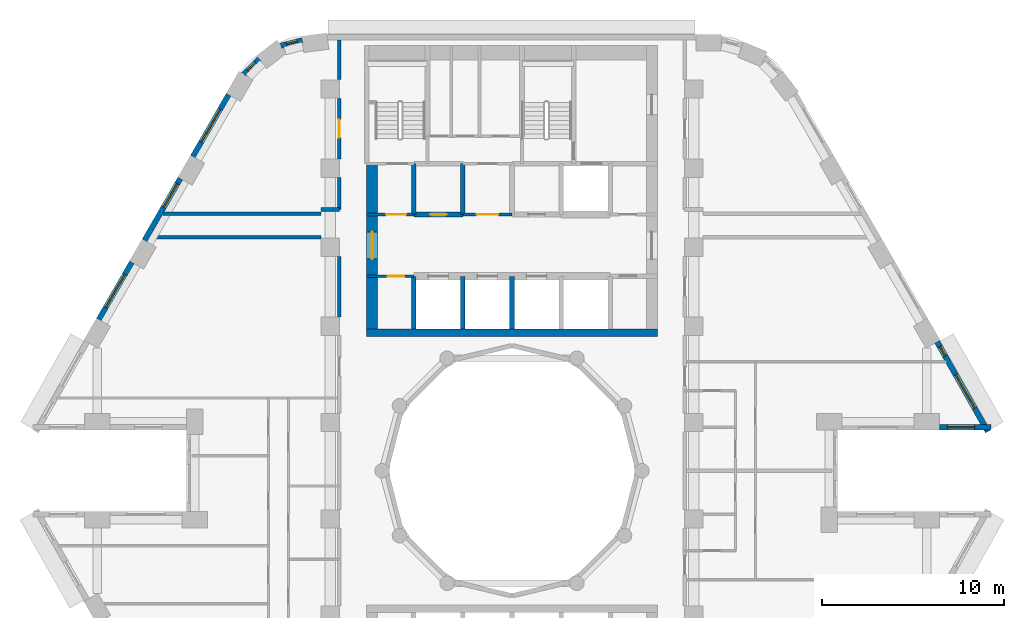
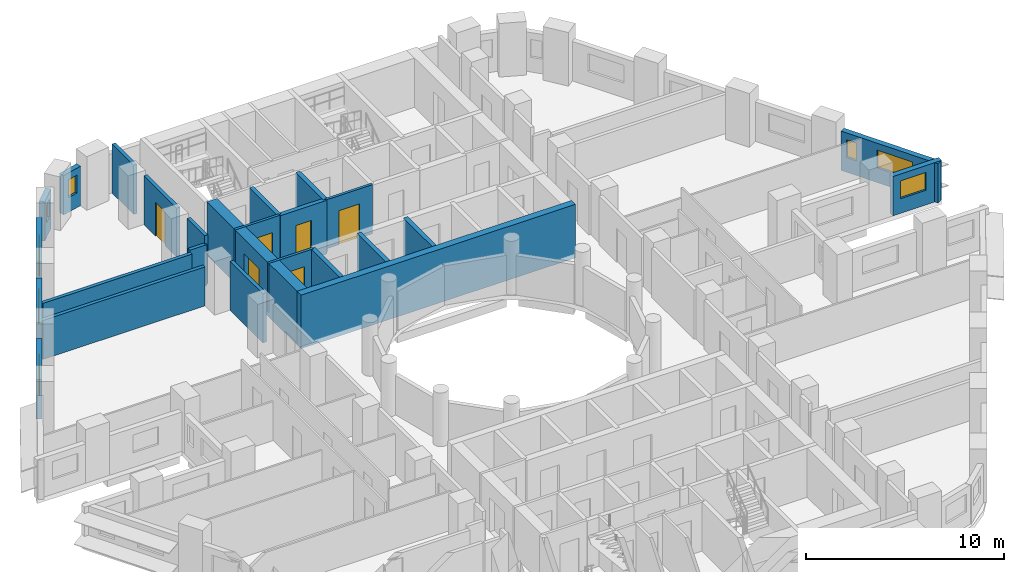
# One storey, part 7 of 12: 25 walls, 8 windows, 6 doors, 14 openings.
"""IFC4 building model written with IfcOpenShell, lengths in metres."""

from ifc_helpers import new_model, si_unit, direction, frame, frame_2d, origin, place, context, subcontext, project, spatial, rectangle, extrude, material, layer, layer_set, type_object, element, fill, save


model = new_model("IFC4")

# Units and contexts
model_context = context("Model", 3, precision=1e-05, world=origin(), true_north=direction((0.0, 1.0)))
body_context = subcontext(model_context, "Body", "Model", "MODEL_VIEW")
ifc_project = project(units=[si_unit("LENGTHUNIT", "METRE"), si_unit("AREAUNIT", "SQUARE_METRE"), si_unit("VOLUMEUNIT", "CUBIC_METRE"), si_unit("PLANEANGLEUNIT", "RADIAN"), si_unit("MASSUNIT", "GRAM", prefix="KILO")], contexts=[model_context])

# Site, building, storey
site_placement = place(None, origin())
site = spatial("IfcSite", under=ifc_project, at=site_placement, CompositionType="ELEMENT")
building_placement = place(site_placement, origin())
building = spatial("IfcBuilding", under=site, at=building_placement, Name="Nakaniwa Court", CompositionType="ELEMENT")
storey_placement = place(building_placement, frame((0.0, 0.0, 87.60009765625)))
storey = spatial("IfcBuildingStorey", under=building, at=storey_placement, Name="L22", CompositionType="ELEMENT", Elevation=87.60009765625)

# Walls
ifc_material_1 = material(Name="Acoustic double stud partition")
ifc_layer_1 = layer(ifc_material_1, 0.199951171875)
ifc_layer_set_1 = layer_set([ifc_layer_1], Name="Acoustic double stud partition")
wall_type_1 = type_object("IfcWallType", Name="Acoustic double stud partition 200", PredefinedType="PARTITIONING", material=ifc_layer_set_1)
wall_1_placement = place(storey_placement, frame((60.052490234375, 92.85009765625, 0.0), z_axis=(0.0, 0.0, 1.0), x_axis=(1.0, 0.0, 0.0)))
element("IfcWall", 1, at=wall_1_placement, inside=storey, type_object=wall_type_1, Name="Partition PW-081", PredefinedType="PARTITIONING", context=body_context, shape_type="SweptSolid", body=[
    extrude(rectangle(XDim=9.447509765625, YDim=0.199951171875, at=frame_2d((4.7236328125, 0.0))), origin(), (0.0, 0.0, 1.0), 2.40478515625),
])
wall_2_placement = place(storey_placement, frame((69.5, 94.375, 0.0), z_axis=(0.0, 0.0, 1.0), x_axis=(1.0, 0.0, 0.0)))
element("IfcWall", 2, at=wall_2_placement, inside=storey, type_object=wall_type_1, Name="Partition PW-083", PredefinedType="PARTITIONING", context=body_context, shape_type="SweptSolid", body=[
    extrude(rectangle(XDim=1.0, YDim=0.199951171875, at=frame_2d((0.5, 0.0))), origin(), (0.0, 0.0, 1.0), 2.5048828125),
])
wall_3_placement = place(storey_placement, frame((60.802978515625, 94.14990234375, 0.0), z_axis=(0.0, 0.0, 1.0), x_axis=(1.0, 0.0, 0.0)))
element("IfcWall", 3, at=wall_3_placement, inside=storey, type_object=wall_type_1, Name="Partition PW-085", PredefinedType="PARTITIONING", context=body_context, shape_type="SweptSolid", body=[
    extrude(rectangle(XDim=8.697021484375, YDim=0.199951171875, at=frame_2d((4.3486328125, 0.0))), origin(), (0.0, 0.0, 1.0), 2.40478515625),
])
wall_4_placement = place(storey_placement, frame((70.5, 88.467041015625, 0.0), z_axis=(0.0, 0.0, 1.0), x_axis=(0.0, 1.0, 0.0)))
element("IfcWall", 4, at=wall_4_placement, inside=storey, type_object=wall_type_1, Name="Partition PW-103", PredefinedType="PARTITIONING", context=body_context, shape_type="SweptSolid", body=[
    extrude(rectangle(XDim=3.31591796875, YDim=0.199951171875, at=frame_2d((1.657958984375, 0.0))), origin(), (0.0, 0.0, 1.0), 3.02490234375),
])
wall_5_placement = place(storey_placement, frame((70.5, 94.3720703125, 0.0), z_axis=(0.0, 0.0, 1.0), x_axis=(0.0, 1.0, 0.0)))
element("IfcWall", 5, at=wall_5_placement, inside=storey, type_object=wall_type_1, Name="Partition PW-104", PredefinedType="PARTITIONING", context=body_context, shape_type="SweptSolid", body=[
    extrude(rectangle(XDim=1.760986328125, YDim=0.199951171875, at=frame_2d((0.88037109375, 0.0))), origin(), (0.0, 0.0, 1.0), 3.02490234375),
])

# Wall, opening, door
wall_6_placement = place(storey_placement, frame((70.5, 97.1669921875, 0.0), z_axis=(0.0, 0.0, 1.0), x_axis=(0.0, 1.0, 0.0)))
wall_6 = element("IfcWall", 6, at=wall_6_placement, inside=storey, type_object=wall_type_1, Name="Partition PW-105", PredefinedType="PARTITIONING", context=body_context, shape_type="SweptSolid", body=[
    extrude(rectangle(XDim=3.31591796875, YDim=0.199951171875, at=frame_2d((1.657958984375, 0.0))), origin(), (0.0, 0.0, 1.0), 3.02490234375),
])
opening_1_placement = place(wall_6_placement, frame((1.157958984375, 0.0, 0.0)))
opening_1 = element("IfcOpeningElement", 7, at=opening_1_placement, cuts=wall_6, Name="Opening D-02-06", PredefinedType="OPENING", context=body_context, shape_type="SweptSolid", body=[
    extrude(rectangle(XDim=1.0, YDim=2.10009765625, at=frame_2d((0.5, 1.050048828125))), frame((0.0, 0.10986328125, 0.0), z_axis=(0.0, -1.0, 0.0), x_axis=(1.0, 0.0, 0.0)), (0.0, 0.0, 1.0), 0.219970703125),
])
ifc_material_2 = material(Name="Solid core timber door set, black veneer", Category="wood")
door_type_1 = type_object("IfcDoorType", Name="Internal door 1000", OperationType="NOTDEFINED", PredefinedType="DOOR", material=ifc_material_2)
door_1_placement = place(opening_1_placement, origin())
door_1 = element("IfcDoor", 8, at=door_1_placement, inside=storey, type_object=door_type_1, Name="Door D-02-06 L22-048", OperationType="SINGLE_SWING_LEFT", OverallHeight=2.10009765625, OverallWidth=1.0, PredefinedType="DOOR", context=body_context, shape_type="SweptSolid", body=[
    extrude(rectangle(XDim=1.0, YDim=2.10009765625, at=frame_2d((0.5, 1.050048828125))), frame((0.0, 0.02490234375, 0.0), z_axis=(0.0, -1.0, 0.0), x_axis=(1.0, 0.0, 0.0)), (0.0, 0.0, 1.0), 0.050048828125),
])
fill(opening_1, door_1)

# Wall
wall_7_placement = place(storey_placement, frame((70.5, 101.51708984375, 0.0), z_axis=(0.0, 0.0, 1.0), x_axis=(0.0, 1.0, 0.0)))
element("IfcWall", 9, at=wall_7_placement, inside=storey, type_object=wall_type_1, Name="Partition PW-106", PredefinedType="PARTITIONING", context=body_context, shape_type="SweptSolid", body=[
    extrude(rectangle(XDim=2.182861328125, YDim=0.199951171875, at=frame_2d((1.09130859375, 0.0))), origin(), (0.0, 0.0, 1.0), 3.02490234375),
])

# Wall, opening, window
ifc_material_3 = material(Name="Charcoal ceramic cladding")
ifc_layer_2 = layer(ifc_material_3, 0.02, Name="Ceramic cladding")
ifc_material_4 = material(Name="Ventilated air cavity")
ifc_layer_3 = layer(ifc_material_4, 0.04, ventilated=True, Name="Ventilated cavity")
ifc_material_5 = material(Name="Mineral wool insulation")
ifc_layer_4 = layer(ifc_material_5, 0.1, Name="Insulation")
ifc_material_6 = material(Name="Cement bonded sheathing board")
ifc_layer_5 = layer(ifc_material_6, 0.012, Name="Sheathing")
ifc_material_7 = material(Name="Cold-formed galvanised stud frame with mineral wool infill")
ifc_layer_6 = layer(ifc_material_7, 0.1, Name="Stud frame")
ifc_material_8 = material(Name="Fire-rated gypsum plasterboard lining")
ifc_layer_7 = layer(ifc_material_8, 0.028, Name="Lining")
ifc_layer_set_2 = layer_set([ifc_layer_2, ifc_layer_3, ifc_layer_4, ifc_layer_5, ifc_layer_6, ifc_layer_7], Name="Charcoal ceramic faced external wall system")
wall_type_2 = type_object("IfcWallType", Name="Black ceramic faced external wall 300", PredefinedType="SOLIDWALL", material=ifc_layer_set_2)
wall_8_placement = place(storey_placement, frame((103.518798828125, 82.39990234375, 0.0), z_axis=(0.0, 0.0, 1.0), x_axis=(1.0, 0.0, 0.0)))
wall_8 = element("IfcWall", 10, at=wall_8_placement, inside=storey, type_object=wall_type_2, Name="L22 external wall 01", PredefinedType="SOLIDWALL", context=body_context, shape_type="SweptSolid", body=[
    extrude(rectangle(XDim=2.837890625, YDim=0.300048828125, at=frame_2d((1.4189453125, 0.0))), origin(), (0.0, 0.0, 1.0), 2.4248046875),
])
opening_2_placement = place(wall_8_placement, frame((0.44384765625, 0.0, 0.89990234375)))
opening_2 = element("IfcOpeningElement", 11, at=opening_2_placement, cuts=wall_8, Name="Opening W5.02", PredefinedType="OPENING", context=body_context, shape_type="SweptSolid", body=[
    extrude(rectangle(XDim=1.5, YDim=1.10009765625, at=frame_2d((0.75, 0.550048828125))), frame((0.0, 0.159912109375, 0.0), z_axis=(0.0, -1.0, 0.0), x_axis=(1.0, 0.0, 0.0)), (0.0, 0.0, 1.0), 0.320068359375),
])
ifc_material_9 = material(Name="Black anodised aluminium frame with dark low-E laminated double glazing", Category="aluminium")
window_type_1 = type_object("IfcWindowType", Name="Dark glass window 1500x1100 sill 900", PartitioningType="SINGLE_PANEL", PredefinedType="WINDOW", material=ifc_material_9)
window_1_placement = place(opening_2_placement, origin())
window_1 = element("IfcWindow", 12, at=window_1_placement, inside=storey, type_object=window_type_1, Name="L22 living window 01-0", OverallHeight=1.10009765625, OverallWidth=1.5, PartitioningType="SINGLE_PANEL", PredefinedType="WINDOW", context=body_context, shape_type="SweptSolid", body=[
    extrude(rectangle(XDim=1.5, YDim=1.10009765625, at=frame_2d((0.75, 0.550048828125))), frame((0.0, 0.030029296875, 0.0), z_axis=(0.0, -1.0, 0.0), x_axis=(1.0, 0.0, 0.0)), (0.0, 0.0, 1.0), 0.06005859375),
])
fill(opening_2, window_1)

# Wall, openings, windows
wall_9_placement = place(storey_placement, frame((106.18603515625, 82.1533203125, 0.0), z_axis=(0.0, 0.0, 1.0), x_axis=(-0.492456858874, 0.870336855561, 0.0)))
wall_9 = element("IfcWall", 13, at=wall_9_placement, inside=storey, type_object=wall_type_2, Name="L22 external wall 02", PredefinedType="SOLIDWALL", context=body_context, shape_type="SweptSolid", body=[
    extrude(rectangle(XDim=5.676513671875, YDim=0.300048828125, at=frame_2d((2.83837890625, 0.0))), origin(), (0.0, 0.0, 1.0), 2.4248046875),
])
opening_3_placement = place(wall_9_placement, frame((1.48388671875, 0.0, 0.89990234375)))
opening_3 = element("IfcOpeningElement", 14, at=opening_3_placement, cuts=wall_9, Name="Opening W7.03", PredefinedType="OPENING", context=body_context, shape_type="SweptSolid", body=[
    extrude(rectangle(XDim=2.10009765625, YDim=1.10009765625, at=frame_2d((1.050048828125, 0.550048828125))), frame((0.0, 0.159912109375, 0.0), z_axis=(0.0, -1.0, 0.0), x_axis=(1.0, 0.0, 0.0)), (0.0, 0.0, 1.0), 0.320068359375),
])
opening_4_placement = place(wall_9_placement, frame((4.77099609375, 0.0, 0.89990234375)))
opening_4 = element("IfcOpeningElement", 15, at=opening_4_placement, cuts=wall_9, Name="Opening W8.04", PredefinedType="OPENING", context=body_context, shape_type="SweptSolid", body=[
    extrude(rectangle(XDim=0.60009765625, YDim=1.10009765625, at=frame_2d((0.300048828125, 0.550048828125))), frame((0.0, 0.159912109375, 0.0), z_axis=(0.0, -1.0, 0.0), x_axis=(1.0, 0.0, 0.0)), (0.0, 0.0, 1.0), 0.320068359375),
])
window_type_2 = type_object("IfcWindowType", Name="Dark glass window 2100x1100 sill 900", PartitioningType="SINGLE_PANEL", PredefinedType="WINDOW", material=ifc_material_9)
window_2_placement = place(opening_3_placement, origin())
window_2 = element("IfcWindow", 16, at=window_2_placement, inside=storey, type_object=window_type_2, Name="L22 living window 02-0", OverallHeight=1.10009765625, OverallWidth=2.10009765625, PartitioningType="SINGLE_PANEL", PredefinedType="WINDOW", context=body_context, shape_type="SweptSolid", body=[
    extrude(rectangle(XDim=2.10009765625, YDim=1.10009765625, at=frame_2d((1.050048828125, 0.550048828125))), frame((0.0, 0.030029296875, 0.0), z_axis=(0.0, -1.0, 0.0), x_axis=(1.0, 0.0, 0.0)), (0.0, 0.0, 1.0), 0.06005859375),
])
fill(opening_3, window_2)
window_type_3 = type_object("IfcWindowType", Name="Dark glass window 600x1100 sill 900", PartitioningType="SINGLE_PANEL", PredefinedType="WINDOW", material=ifc_material_9)
window_3_placement = place(opening_4_placement, origin())
window_3 = element("IfcWindow", 17, at=window_3_placement, inside=storey, type_object=window_type_3, Name="L22 habitable room window 02-1", OverallHeight=1.10009765625, OverallWidth=0.60009765625, PartitioningType="SINGLE_PANEL", PredefinedType="WINDOW", context=body_context, shape_type="SweptSolid", body=[
    extrude(rectangle(XDim=0.60009765625, YDim=1.10009765625, at=frame_2d((0.300048828125, 0.550048828125))), frame((0.0, 0.030029296875, 0.0), z_axis=(0.0, -1.0, 0.0), x_axis=(1.0, 0.0, 0.0)), (0.0, 0.0, 1.0), 0.06005859375),
])
fill(opening_4, window_3)

# Wall, opening, window
wall_10_placement = place(storey_placement, frame((68.455810546875, 103.68310546875, 0.0), z_axis=(0.0, 0.0, 1.0), x_axis=(-0.969485113966, -0.245150186208, 0.0)))
wall_10 = element("IfcWall", 18, at=wall_10_placement, inside=storey, type_object=wall_type_2, Name="L22 external wall 09", PredefinedType="SOLIDWALL", context=body_context, shape_type="SweptSolid", body=[
    extrude(rectangle(XDim=1.2080078125, YDim=0.300048828125, at=frame_2d((0.60400390625, 0.0))), origin(), (0.0, 0.0, 1.0), 2.4248046875),
])
opening_5_placement = place(wall_10_placement, frame((0.279541015625, 0.0, 0.89990234375)))
opening_5 = element("IfcOpeningElement", 19, at=opening_5_placement, cuts=wall_10, Name="Opening W8.10", PredefinedType="OPENING", context=body_context, shape_type="SweptSolid", body=[
    extrude(rectangle(XDim=0.60009765625, YDim=1.10009765625, at=frame_2d((0.300048828125, 0.550048828125))), frame((0.0, 0.159912109375, 0.0), z_axis=(0.0, -1.0, 0.0), x_axis=(1.0, 0.0, 0.0)), (0.0, 0.0, 1.0), 0.320068359375),
])
window_4_placement = place(opening_5_placement, origin())
window_4 = element("IfcWindow", 20, at=window_4_placement, inside=storey, type_object=window_type_3, Name="L22 habitable room window 09-0", OverallHeight=1.10009765625, OverallWidth=0.60009765625, PartitioningType="SINGLE_PANEL", PredefinedType="WINDOW", context=body_context, shape_type="SweptSolid", body=[
    extrude(rectangle(XDim=0.60009765625, YDim=1.10009765625, at=frame_2d((0.300048828125, 0.550048828125))), frame((0.0, 0.030029296875, 0.0), z_axis=(0.0, -1.0, 0.0), x_axis=(1.0, 0.0, 0.0)), (0.0, 0.0, 1.0), 0.06005859375),
])
fill(opening_5, window_4)

wall_11_placement = place(storey_placement, frame((66.085205078125, 102.66259765625, 0.0), z_axis=(0.0, 0.0, 1.0), x_axis=(-0.708951665509, -0.705257070842, 0.0)))
wall_11 = element("IfcWall", 21, at=wall_11_placement, inside=storey, type_object=wall_type_2, Name="L22 external wall 10", PredefinedType="SOLIDWALL", context=body_context, shape_type="SweptSolid", body=[
    extrude(rectangle(XDim=1.189453125, YDim=0.300048828125, at=frame_2d((0.5947265625, 0.0))), origin(), (0.0, 0.0, 1.0), 2.4248046875),
])
opening_6_placement = place(wall_11_placement, frame((0.284423828125, 0.0, 0.89990234375)))
opening_6 = element("IfcOpeningElement", 22, at=opening_6_placement, cuts=wall_11, Name="Opening W8.11", PredefinedType="OPENING", context=body_context, shape_type="SweptSolid", body=[
    extrude(rectangle(XDim=0.60009765625, YDim=1.10009765625, at=frame_2d((0.300048828125, 0.550048828125))), frame((0.0, 0.159912109375, 0.0), z_axis=(0.0, -1.0, 0.0), x_axis=(1.0, 0.0, 0.0)), (0.0, 0.0, 1.0), 0.320068359375),
])
window_5_placement = place(opening_6_placement, origin())
window_5 = element("IfcWindow", 23, at=window_5_placement, inside=storey, type_object=window_type_3, Name="L22 habitable room window 10-0", OverallHeight=1.10009765625, OverallWidth=0.60009765625, PartitioningType="SINGLE_PANEL", PredefinedType="WINDOW", context=body_context, shape_type="SweptSolid", body=[
    extrude(rectangle(XDim=0.60009765625, YDim=1.10009765625, at=frame_2d((0.300048828125, 0.550048828125))), frame((0.0, 0.030029296875, 0.0), z_axis=(0.0, -1.0, 0.0), x_axis=(1.0, 0.0, 0.0)), (0.0, 0.0, 1.0), 0.06005859375),
])
fill(opening_6, window_5)

wall_12_placement = place(storey_placement, frame((64.40966796875, 100.69677734375, 0.0), z_axis=(0.0, 0.0, 1.0), x_axis=(-0.500003583557, -0.866023334807, 0.0)))
wall_12 = element("IfcWall", 24, at=wall_12_placement, inside=storey, type_object=wall_type_2, Name="L22 external wall 11", PredefinedType="SOLIDWALL", context=body_context, shape_type="SweptSolid", body=[
    extrude(rectangle(XDim=3.93408203125, YDim=0.300048828125, at=frame_2d((1.967041015625, 0.0))), origin(), (0.0, 0.0, 1.0), 2.4248046875),
])
opening_7_placement = place(wall_12_placement, frame((0.9169921875, 0.0, 0.89990234375)))
opening_7 = element("IfcOpeningElement", 25, at=opening_7_placement, cuts=wall_12, Name="Opening W7.12", PredefinedType="OPENING", context=body_context, shape_type="SweptSolid", body=[
    extrude(rectangle(XDim=2.10009765625, YDim=1.10009765625, at=frame_2d((1.050048828125, 0.550048828125))), frame((0.0, 0.159912109375, 0.0), z_axis=(0.0, -1.0, 0.0), x_axis=(1.0, 0.0, 0.0)), (0.0, 0.0, 1.0), 0.320068359375),
])
window_6_placement = place(opening_7_placement, origin())
window_6 = element("IfcWindow", 26, at=window_6_placement, inside=storey, type_object=window_type_2, Name="L22 habitable room window 11-0", OverallHeight=1.10009765625, OverallWidth=2.10009765625, PartitioningType="SINGLE_PANEL", PredefinedType="WINDOW", context=body_context, shape_type="SweptSolid", body=[
    extrude(rectangle(XDim=2.10009765625, YDim=1.10009765625, at=frame_2d((1.050048828125, 0.550048828125))), frame((0.0, 0.030029296875, 0.0), z_axis=(0.0, -1.0, 0.0), x_axis=(1.0, 0.0, 0.0)), (0.0, 0.0, 1.0), 0.06005859375),
])
fill(opening_7, window_6)

wall_13_placement = place(storey_placement, frame((61.74658203125, 96.08447265625, 0.0), z_axis=(0.0, 0.0, 1.0), x_axis=(-0.499957037901, -0.866050206543, 0.0)))
wall_13 = element("IfcWall", 27, at=wall_13_placement, inside=storey, type_object=wall_type_2, Name="L22 external wall 12", PredefinedType="SOLIDWALL", context=body_context, shape_type="SweptSolid", body=[
    extrude(rectangle(XDim=3.933837890625, YDim=0.300048828125, at=frame_2d((1.966796875, 0.0))), origin(), (0.0, 0.0, 1.0), 2.4248046875),
])
opening_8_placement = place(wall_13_placement, frame((0.32958984375, 0.0, 0.89990234375)))
opening_8 = element("IfcOpeningElement", 28, at=opening_8_placement, cuts=wall_13, Name="Opening W5.13", PredefinedType="OPENING", context=body_context, shape_type="SweptSolid", body=[
    extrude(rectangle(XDim=1.5, YDim=1.10009765625, at=frame_2d((0.75, 0.550048828125))), frame((0.0, 0.159912109375, 0.0), z_axis=(0.0, -1.0, 0.0), x_axis=(1.0, 0.0, 0.0)), (0.0, 0.0, 1.0), 0.320068359375),
])
window_7_placement = place(opening_8_placement, origin())
window_7 = element("IfcWindow", 29, at=window_7_placement, inside=storey, type_object=window_type_1, Name="L22 habitable room window 12-0", OverallHeight=1.10009765625, OverallWidth=1.5, PartitioningType="SINGLE_PANEL", PredefinedType="WINDOW", context=body_context, shape_type="SweptSolid", body=[
    extrude(rectangle(XDim=1.5, YDim=1.10009765625, at=frame_2d((0.75, 0.550048828125))), frame((0.0, 0.030029296875, 0.0), z_axis=(0.0, -1.0, 0.0), x_axis=(1.0, 0.0, 0.0)), (0.0, 0.0, 1.0), 0.06005859375),
])
fill(opening_8, window_7)

wall_14_placement = place(storey_placement, frame((59.083740234375, 91.471923828125, 0.0), z_axis=(0.0, 0.0, 1.0), x_axis=(-0.500009139881, -0.866020126807, 0.0)))
wall_14 = element("IfcWall", 30, at=wall_14_placement, inside=storey, type_object=wall_type_2, Name="L22 external wall 13", PredefinedType="SOLIDWALL", context=body_context, shape_type="SweptSolid", body=[
    extrude(rectangle(XDim=3.63671875, YDim=0.300048828125, at=frame_2d((1.818359375, 0.0))), origin(), (0.0, 0.0, 1.0), 2.4248046875),
])
opening_9_placement = place(wall_14_placement, frame((0.768310546875, 0.0, 0.89990234375)))
opening_9 = element("IfcOpeningElement", 31, at=opening_9_placement, cuts=wall_14, Name="Opening W7.14", PredefinedType="OPENING", context=body_context, shape_type="SweptSolid", body=[
    extrude(rectangle(XDim=2.10009765625, YDim=1.10009765625, at=frame_2d((1.050048828125, 0.550048828125))), frame((0.0, 0.159912109375, 0.0), z_axis=(0.0, -1.0, 0.0), x_axis=(1.0, 0.0, 0.0)), (0.0, 0.0, 1.0), 0.320068359375),
])
window_8_placement = place(opening_9_placement, origin())
window_8 = element("IfcWindow", 32, at=window_8_placement, inside=storey, type_object=window_type_2, Name="L22 habitable room window 13-0", OverallHeight=1.10009765625, OverallWidth=2.10009765625, PartitioningType="SINGLE_PANEL", PredefinedType="WINDOW", context=body_context, shape_type="SweptSolid", body=[
    extrude(rectangle(XDim=2.10009765625, YDim=1.10009765625, at=frame_2d((1.050048828125, 0.550048828125))), frame((0.0, 0.030029296875, 0.0), z_axis=(0.0, -1.0, 0.0), x_axis=(1.0, 0.0, 0.0)), (0.0, 0.0, 1.0), 0.06005859375),
])
fill(opening_9, window_8)

# Wall, opening, door
ifc_material_10 = material(Name="Blockwork partition", Category="masonry")
ifc_layer_8 = layer(ifc_material_10, 0.14990234375)
ifc_layer_set_3 = layer_set([ifc_layer_8], Name="Blockwork partition")
wall_type_3 = type_object("IfcWallType", Name="Blockwork partition 150", PredefinedType="PARTITIONING", material=ifc_layer_set_3)
wall_15_placement = place(storey_placement, frame((74.60009765625, 90.699951171875, 0.0), z_axis=(0.0, 0.0, 1.0), x_axis=(-1.0, 0.0, 0.0)))
wall_15 = element("IfcWall", 33, at=wall_15_placement, inside=storey, type_object=wall_type_3, Name="Partition PW-003", PredefinedType="PARTITIONING", context=body_context, shape_type="SweptSolid", body=[
    extrude(rectangle(XDim=2.60009765625, YDim=0.14990234375, at=frame_2d((1.300048828125, 0.0))), origin(), (0.0, 0.0, 1.0), 3.02490234375),
])
opening_10_placement = place(wall_15_placement, frame((0.52490234375, 0.0, 0.0)))
opening_10 = element("IfcOpeningElement", 34, at=opening_10_placement, cuts=wall_15, Name="Opening D-05-01", PredefinedType="OPENING", context=body_context, shape_type="SweptSolid", body=[
    extrude(rectangle(XDim=0.89990234375, YDim=2.10009765625, at=frame_2d((0.449951171875, 1.050048828125))), frame((0.0, 0.0849609375, 0.0), z_axis=(0.0, -1.0, 0.0), x_axis=(1.0, 0.0, 0.0)), (0.0, 0.0, 1.0), 0.169921875),
])
ifc_material_11 = material(Name="Fire rated steel door set", Category="steel")
door_type_2 = type_object("IfcDoorType", Name="Service room door 900", OperationType="NOTDEFINED", PredefinedType="DOOR", material=ifc_material_11)
door_2_placement = place(opening_10_placement, origin())
door_2 = element("IfcDoor", 35, at=door_2_placement, inside=storey, type_object=door_type_2, Name="Door D-05-01 L22-001", OperationType="SINGLE_SWING_RIGHT", OverallHeight=2.10009765625, OverallWidth=0.89990234375, PredefinedType="DOOR", context=body_context, shape_type="SweptSolid", body=[
    extrude(rectangle(XDim=0.89990234375, YDim=2.10009765625, at=frame_2d((0.449951171875, 1.050048828125))), frame((0.0, 0.02490234375, 0.0), z_axis=(0.0, -1.0, 0.0), x_axis=(1.0, 0.0, 0.0)), (0.0, 0.0, 1.0), 0.050048828125),
])
fill(opening_10, door_2)

wall_16_placement = place(storey_placement, frame((72.0, 94.10009765625, 0.0), z_axis=(0.0, 0.0, 1.0), x_axis=(1.0, 0.0, 0.0)))
wall_16 = element("IfcWall", 36, at=wall_16_placement, inside=storey, type_object=wall_type_3, Name="Partition PW-016", PredefinedType="PARTITIONING", context=body_context, shape_type="SweptSolid", body=[
    extrude(rectangle(XDim=2.60302734375, YDim=0.14990234375, at=frame_2d((1.301513671875, 0.0))), origin(), (0.0, 0.0, 1.0), 3.02490234375),
])
opening_11_placement = place(wall_16_placement, frame((1.074951171875, 0.0, 0.0)))
opening_11 = element("IfcOpeningElement", 37, at=opening_11_placement, cuts=wall_16, Name="Opening D-08-01", PredefinedType="OPENING", context=body_context, shape_type="SweptSolid", body=[
    extrude(rectangle(XDim=1.10009765625, YDim=2.10009765625, at=frame_2d((0.550048828125, 1.050048828125))), frame((0.0, 0.0849609375, 0.0), z_axis=(0.0, -1.0, 0.0), x_axis=(1.0, 0.0, 0.0)), (0.0, 0.0, 1.0), 0.169921875),
])
door_type_3 = type_object("IfcDoorType", Name="Stair lobby door 1100", OperationType="NOTDEFINED", PredefinedType="DOOR", material=ifc_material_11)
door_3_placement = place(opening_11_placement, origin())
door_3 = element("IfcDoor", 38, at=door_3_placement, inside=storey, type_object=door_type_3, Name="Door D-08-01 L22-003", OperationType="SINGLE_SWING_RIGHT", OverallHeight=2.10009765625, OverallWidth=1.10009765625, PredefinedType="DOOR", context=body_context, shape_type="SweptSolid", body=[
    extrude(rectangle(XDim=1.10009765625, YDim=2.10009765625, at=frame_2d((0.550048828125, 1.050048828125))), frame((0.0, 0.02490234375, 0.0), z_axis=(0.0, -1.0, 0.0), x_axis=(1.0, 0.0, 0.0)), (0.0, 0.0, 1.0), 0.050048828125),
])
fill(opening_11, door_3)

wall_17_placement = place(storey_placement, frame((77.297119140625, 94.10009765625, 0.0), z_axis=(0.0, 0.0, 1.0), x_axis=(1.0, 0.0, 0.0)))
wall_17 = element("IfcWall", 39, at=wall_17_placement, inside=storey, type_object=wall_type_3, Name="Partition PW-017", PredefinedType="PARTITIONING", context=body_context, shape_type="SweptSolid", body=[
    extrude(rectangle(XDim=2.705810546875, YDim=0.14990234375, at=frame_2d((1.35302734375, 0.0))), origin(), (0.0, 0.0, 1.0), 3.02490234375),
])
opening_12_placement = place(wall_17_placement, frame((0.7529296875, 0.0, 0.0)))
opening_12 = element("IfcOpeningElement", 40, at=opening_12_placement, cuts=wall_17, Name="Opening D-06-01", PredefinedType="OPENING", context=body_context, shape_type="SweptSolid", body=[
    extrude(rectangle(XDim=1.199951171875, YDim=2.10009765625, at=frame_2d((0.60009765625, 1.050048828125))), frame((0.0, 0.0849609375, 0.0), z_axis=(0.0, -1.0, 0.0), x_axis=(1.0, 0.0, 0.0)), (0.0, 0.0, 1.0), 0.169921875),
])
ifc_material_12 = material(Name="Fire rated steel double door set", Category="steel")
door_type_4 = type_object("IfcDoorType", Name="Service passage double door 1200", OperationType="NOTDEFINED", PredefinedType="DOOR", material=ifc_material_12)
door_4_placement = place(opening_12_placement, origin())
door_4 = element("IfcDoor", 41, at=door_4_placement, inside=storey, type_object=door_type_4, Name="Door D-06-01 L22-005", OperationType="DOUBLE_DOOR_SINGLE_SWING", OverallHeight=2.10009765625, OverallWidth=1.199951171875, PredefinedType="DOOR", context=body_context, shape_type="SweptSolid", body=[
    extrude(rectangle(XDim=1.199951171875, YDim=2.10009765625, at=frame_2d((0.60009765625, 1.050048828125))), frame((0.0, 0.02490234375, 0.0), z_axis=(0.0, -1.0, 0.0), x_axis=(1.0, 0.0, 0.0)), (0.0, 0.0, 1.0), 0.050048828125),
])
fill(opening_12, door_4)

ifc_material_13 = material(Name="Concrete C80/100", Category="concrete")
ifc_layer_9 = layer(ifc_material_13, 0.60009765625)
ifc_layer_set_4 = layer_set([ifc_layer_9], Name="Concrete C80/100")
wall_type_4 = type_object("IfcWallType", Name="Concrete core side wall 600 C80", PredefinedType="SHEAR", material=ifc_layer_set_4)
wall_18_placement = place(storey_placement, frame((72.300048828125, 87.800048828125, -0.275146484375), z_axis=(0.0, 0.0, 1.0), x_axis=(0.0, 1.0, 0.0)))
wall_18 = element("IfcWall", 42, at=wall_18_placement, inside=storey, type_object=wall_type_4, Name="Core wall SW-04", PredefinedType="SHEAR", context=body_context, shape_type="SweptSolid", body=[
    extrude(rectangle(XDim=9.099853515625, YDim=0.60009765625, at=frame_2d((4.5498046875, 0.0))), origin(), (0.0, 0.0, 1.0), 3.300048828125),
])
opening_13_placement = place(wall_18_placement, frame((3.85009765625, 0.0, 0.27490234375)))
opening_13 = element("IfcOpeningElement", 43, at=opening_13_placement, cuts=wall_18, Name="Opening D-07-02", PredefinedType="OPENING", context=body_context, shape_type="SweptSolid", body=[
    extrude(rectangle(XDim=1.5, YDim=2.10009765625, at=frame_2d((0.75, 1.050048828125))), frame((0.0, 0.31005859375, 0.0), z_axis=(0.0, -1.0, 0.0), x_axis=(1.0, 0.0, 0.0)), (0.0, 0.0, 1.0), 0.6201171875),
])
ifc_material_14 = material(Name="Glazed fire rated steel double door set", Category="steel")
door_type_5 = type_object("IfcDoorType", Name="Lobby double door 1500", OperationType="NOTDEFINED", PredefinedType="DOOR", material=ifc_material_14)
door_5_placement = place(opening_13_placement, origin())
door_5 = element("IfcDoor", 44, at=door_5_placement, inside=storey, type_object=door_type_5, Name="Door D-07-02 L22-052", OperationType="DOUBLE_DOOR_SINGLE_SWING", OverallHeight=2.10009765625, OverallWidth=1.5, PredefinedType="DOOR", context=body_context, shape_type="SweptSolid", body=[
    extrude(rectangle(XDim=1.5, YDim=2.10009765625, at=frame_2d((0.75, 1.050048828125))), frame((0.0, 0.02490234375, 0.0), z_axis=(0.0, -1.0, 0.0), x_axis=(1.0, 0.0, 0.0)), (0.0, 0.0, 1.0), 0.050048828125),
])
fill(opening_13, door_5)

# Walls
ifc_layer_10 = layer(ifc_material_13, 0.39990234375)
ifc_layer_set_5 = layer_set([ifc_layer_10], Name="Concrete C80/100")
wall_type_5 = type_object("IfcWallType", Name="Concrete core well wall 400 C80", PredefinedType="SHEAR", material=ifc_layer_set_5)
wall_19_placement = place(storey_placement, frame((72.00390625, 87.60009765625, -0.275146484375), z_axis=(0.0, 0.0, 1.0), x_axis=(1.0, 0.0, 0.0)))
element("IfcWall", 45, at=wall_19_placement, inside=storey, type_object=wall_type_5, Name="Core wall SW-126", PredefinedType="SHEAR", context=body_context, shape_type="SweptSolid", body=[
    extrude(rectangle(XDim=15.9921875, YDim=0.39990234375, at=frame_2d((7.99609375, 0.0))), origin(), (0.0, 0.0, 1.0), 3.300048828125),
])
ifc_layer_11 = layer(ifc_material_13, 0.25)
ifc_layer_set_6 = layer_set([ifc_layer_11], Name="Concrete C80/100")
wall_type_6 = type_object("IfcWallType", Name="Concrete shaft wall 250 C80", PredefinedType="SHEAR", material=ifc_layer_set_6)
wall_20_placement = place(storey_placement, frame((74.60009765625, 87.800048828125, -0.275146484375), z_axis=(0.0, 0.0, 1.0), x_axis=(0.0, 1.0, 0.0)))
element("IfcWall", 46, at=wall_20_placement, inside=storey, type_object=wall_type_6, Name="Core wall SW-01", PredefinedType="SHEAR", context=body_context, shape_type="SweptSolid", body=[
    extrude(rectangle(XDim=2.89990234375, YDim=0.25, at=frame_2d((1.449951171875, 0.0))), origin(), (0.0, 0.0, 1.0), 3.300048828125),
])
wall_21_placement = place(storey_placement, frame((74.60009765625, 94.10009765625, -0.275146484375), z_axis=(0.0, 0.0, 1.0), x_axis=(0.0, 1.0, 0.0)))
element("IfcWall", 47, at=wall_21_placement, inside=storey, type_object=wall_type_6, Name="Core wall SW-02", PredefinedType="SHEAR", context=body_context, shape_type="SweptSolid", body=[
    extrude(rectangle(XDim=2.7998046875, YDim=0.25, at=frame_2d((1.39990234375, 0.0))), origin(), (0.0, 0.0, 1.0), 3.300048828125),
])
wall_22_placement = place(storey_placement, frame((77.300048828125, 87.800048828125, -0.275146484375), z_axis=(0.0, 0.0, 1.0), x_axis=(0.0, 1.0, 0.0)))
element("IfcWall", 48, at=wall_22_placement, inside=storey, type_object=wall_type_6, Name="Core wall SW-05", PredefinedType="SHEAR", context=body_context, shape_type="SweptSolid", body=[
    extrude(rectangle(XDim=2.89990234375, YDim=0.25, at=frame_2d((1.449951171875, 0.0))), origin(), (0.0, 0.0, 1.0), 3.300048828125),
])
wall_23_placement = place(storey_placement, frame((77.300048828125, 94.10009765625, -0.275146484375), z_axis=(0.0, 0.0, 1.0), x_axis=(0.0, 1.0, 0.0)))
element("IfcWall", 49, at=wall_23_placement, inside=storey, type_object=wall_type_6, Name="Core wall SW-06", PredefinedType="SHEAR", context=body_context, shape_type="SweptSolid", body=[
    extrude(rectangle(XDim=2.7998046875, YDim=0.25, at=frame_2d((1.39990234375, 0.0))), origin(), (0.0, 0.0, 1.0), 3.300048828125),
])
wall_24_placement = place(storey_placement, frame((80.0, 87.800048828125, -0.275146484375), z_axis=(0.0, 0.0, 1.0), x_axis=(0.0, 1.0, 0.0)))
element("IfcWall", 50, at=wall_24_placement, inside=storey, type_object=wall_type_6, Name="Core wall SW-08", PredefinedType="SHEAR", context=body_context, shape_type="SweptSolid", body=[
    extrude(rectangle(XDim=2.89990234375, YDim=0.25, at=frame_2d((1.449951171875, 0.0))), origin(), (0.0, 0.0, 1.0), 3.300048828125),
])

# Wall, opening, door
wall_25_placement = place(storey_placement, frame((74.596923828125, 94.10009765625, -0.275146484375), z_axis=(0.0, 0.0, 1.0), x_axis=(1.0, 0.0, 0.0)))
wall_25 = element("IfcWall", 51, at=wall_25_placement, inside=storey, type_object=wall_type_6, Name="Core wall SW-19", PredefinedType="SHEAR", context=body_context, shape_type="SweptSolid", body=[
    extrude(rectangle(XDim=2.7060546875, YDim=0.25, at=frame_2d((1.35302734375, 0.0))), origin(), (0.0, 0.0, 1.0), 3.300048828125),
])
opening_14_placement = place(wall_25_placement, frame((0.903076171875, 0.0, 0.27490234375)))
opening_14 = element("IfcOpeningElement", 52, at=opening_14_placement, cuts=wall_25, Name="Opening D-05-03", PredefinedType="OPENING", context=body_context, shape_type="SweptSolid", body=[
    extrude(rectangle(XDim=0.89990234375, YDim=2.10009765625, at=frame_2d((0.449951171875, 1.050048828125))), frame((0.0, 0.135009765625, 0.0), z_axis=(0.0, -1.0, 0.0), x_axis=(1.0, 0.0, 0.0)), (0.0, 0.0, 1.0), 0.27001953125),
])
door_6_placement = place(opening_14_placement, origin())
door_6 = element("IfcDoor", 53, at=door_6_placement, inside=storey, type_object=door_type_2, Name="Door D-05-03 L22-004", OperationType="SINGLE_SWING_LEFT", OverallHeight=2.10009765625, OverallWidth=0.89990234375, PredefinedType="DOOR", context=body_context, shape_type="SweptSolid", body=[
    extrude(rectangle(XDim=0.89990234375, YDim=2.10009765625, at=frame_2d((0.449951171875, 1.050048828125))), frame((0.0, 0.02490234375, 0.0), z_axis=(0.0, -1.0, 0.0), x_axis=(1.0, 0.0, 0.0)), (0.0, 0.0, 1.0), 0.050048828125),
])
fill(opening_14, door_6)

save(model, "model.ifc")
